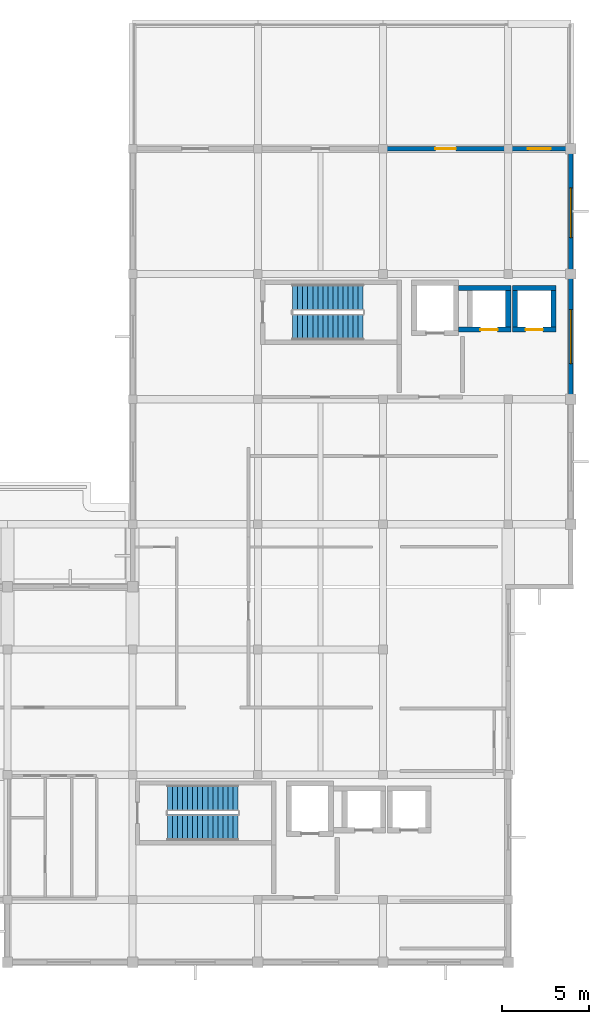
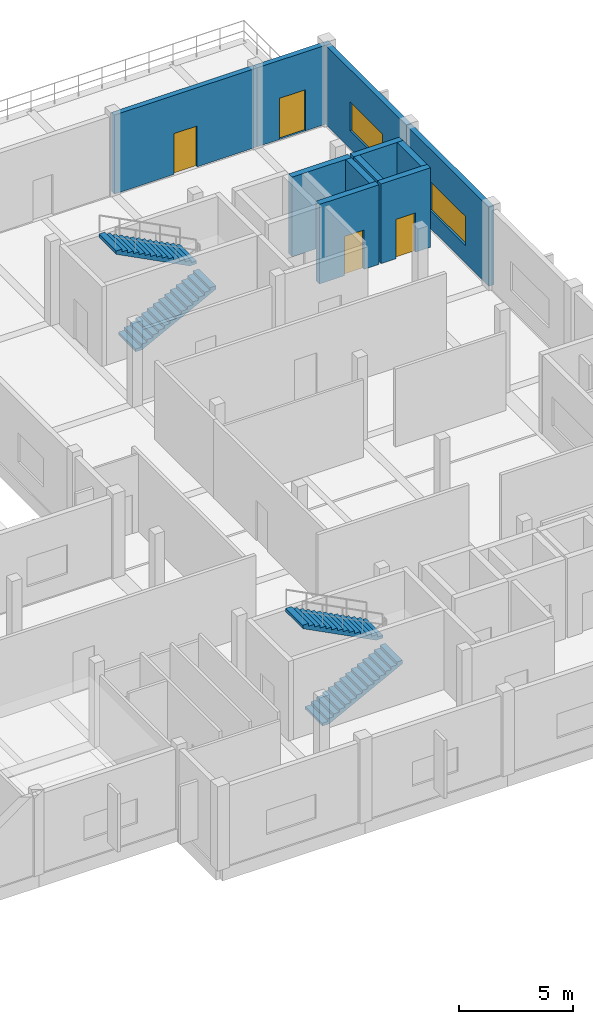
# One storey, part 6 of 9: 11 walls, 4 doors, 4 stair flights, 2 windows, 6 openings, 2 elements without a shape of their own.
"""IFC4 building model written with IfcOpenShell, lengths in metres."""

from ifc_helpers import new_model, si_unit, direction, frame, frame_2d, origin, place, context, subcontext, project, spatial, polyline, rectangle, outline, extrude, material, layer, layer_set, type_object, element, fill, aggregate, save


model = new_model("IFC4")

# Units and contexts
model_context = context("Model", 3, precision=1e-05, world=origin(), true_north=direction((0.0, 1.0)))
body_context = subcontext(model_context, "Body", "Model", "MODEL_VIEW")
ifc_project = project(units=[si_unit("LENGTHUNIT", "METRE"), si_unit("AREAUNIT", "SQUARE_METRE"), si_unit("VOLUMEUNIT", "CUBIC_METRE"), si_unit("PLANEANGLEUNIT", "RADIAN"), si_unit("MASSUNIT", "GRAM", prefix="KILO")], contexts=[model_context])

# Site, building, storey
site_placement = place(None, origin())
site = spatial("IfcSite", under=ifc_project, at=site_placement, CompositionType="ELEMENT")
building_placement = place(site_placement, origin())
building = spatial("IfcBuilding", under=site, at=building_placement, Name="Seraya Terrace Polytechnic", CompositionType="ELEMENT")
storey_placement = place(building_placement, frame((0.0, 0.0, 32.39990234375)))
storey = spatial("IfcBuildingStorey", under=building, at=storey_placement, Name="L07", CompositionType="ELEMENT", Elevation=32.39990234375)

# Wall, opening, door
ifc_material_1 = material(Name="Precast concrete C40/50", Category="concrete")
ifc_layer_1 = layer(ifc_material_1, 0.260009765625, Name="EW-03")
ifc_layer_set_1 = layer_set([ifc_layer_1], Name="Precast concrete C40/50")
wall_type_1 = type_object("IfcWallType", Name="EW-03", PredefinedType="SOLIDWALL", material=ifc_layer_set_1)
wall_1_placement = place(storey_placement, frame((93.60009765625, 50.39990234375, 0.0), z_axis=(0.0, 0.0, 1.0), x_axis=(1.0, 0.0, 0.0)))
wall_1 = element("IfcWall", 1, at=wall_1_placement, inside=storey, type_object=wall_type_1, Name="Exterior structural wall EW-03 L07", PredefinedType="SOLIDWALL", context=body_context, shape_type="SweptSolid", body=[
    extrude(rectangle(XDim=7.199951171875, YDim=0.260009765625, at=frame_2d((3.60009765625, 0.0))), origin(), (0.0, 0.0, 1.0), 4.22021484375),
])
opening_1_placement = place(wall_1_placement, frame((3.010009765625, 0.0, 0.0)))
opening_1 = element("IfcOpeningElement", 2, at=opening_1_placement, cuts=wall_1, Name="Opening TD-02", PredefinedType="OPENING", context=body_context, shape_type="SweptSolid", body=[
    extrude(rectangle(XDim=1.179931640625, YDim=2.179931640625, at=frame_2d((0.58984375, 1.08984375))), frame((0.0, 0.14208984375, 0.0), z_axis=(0.0, -1.0, 0.0), x_axis=(1.0, 0.0, 0.0)), (0.0, 0.0, 1.0), 0.283935546875),
])
ifc_material_2 = material(Name="Anodised aluminium EN AW-6063 T6", Category="aluminium")
door_type_1 = type_object("IfcDoorType", Name="TD-02", OperationType="NOTDEFINED", PredefinedType="DOOR", material=ifc_material_2)
door_1_placement = place(opening_1_placement, origin())
door_1 = element("IfcDoor", 3, at=door_1_placement, inside=storey, type_object=door_type_1, Name="Door TD-02 DR-TERR-L07-06-02 in WL-EXT-L07-06-02", OperationType="SINGLE_SWING_LEFT", OverallHeight=2.179931640625, OverallWidth=1.179931640625, PredefinedType="DOOR", context=body_context, shape_type="SweptSolid", body=[
    extrude(rectangle(XDim=1.179931640625, YDim=2.179931640625, at=frame_2d((0.58984375, 1.08984375))), frame((0.0, 0.02490234375, 0.0), z_axis=(0.0, -1.0, 0.0), x_axis=(1.0, 0.0, 0.0)), (0.0, 0.0, 1.0), 0.050048828125),
])
fill(opening_1, door_1)

wall_2_placement = place(storey_placement, frame((100.800048828125, 50.39990234375, 0.0), z_axis=(0.0, 0.0, 1.0), x_axis=(1.0, 0.0, 0.0)))
wall_2 = element("IfcWall", 4, at=wall_2_placement, inside=storey, type_object=wall_type_1, Name="Exterior structural wall EW-03 L07", PredefinedType="SOLIDWALL", context=body_context, shape_type="SweptSolid", body=[
    extrude(rectangle(XDim=3.75, YDim=0.260009765625, at=frame_2d((1.875, 0.0))), origin(), (0.0, 0.0, 1.0), 4.22021484375),
])
opening_2_placement = place(wall_2_placement, frame((1.139892578125, 0.0, 0.0)))
opening_2 = element("IfcOpeningElement", 5, at=opening_2_placement, cuts=wall_2, Name="Opening TD-03", PredefinedType="OPENING", context=body_context, shape_type="SweptSolid", body=[
    extrude(rectangle(XDim=1.320068359375, YDim=2.199951171875, at=frame_2d((0.66015625, 1.10009765625))), frame((0.0, 0.14208984375, 0.0), z_axis=(0.0, -1.0, 0.0), x_axis=(1.0, 0.0, 0.0)), (0.0, 0.0, 1.0), 0.283935546875),
])
door_type_2 = type_object("IfcDoorType", Name="TD-03", OperationType="NOTDEFINED", PredefinedType="DOOR", material=ifc_material_2)
door_2_placement = place(opening_2_placement, origin())
door_2 = element("IfcDoor", 6, at=door_2_placement, inside=storey, type_object=door_type_2, Name="Door TD-03 DR-TERR-L07-06-03 in WL-EXT-L07-06-03", OperationType="SINGLE_SWING_RIGHT", OverallHeight=2.199951171875, OverallWidth=1.320068359375, PredefinedType="DOOR", context=body_context, shape_type="SweptSolid", body=[
    extrude(rectangle(XDim=1.320068359375, YDim=2.199951171875, at=frame_2d((0.66015625, 1.10009765625))), frame((0.0, 0.02490234375, 0.0), z_axis=(0.0, -1.0, 0.0), x_axis=(1.0, 0.0, 0.0)), (0.0, 0.0, 1.0), 0.050048828125),
])
fill(opening_2, door_2)

# Wall, opening, window
wall_3_placement = place(storey_placement, frame((104.39990234375, 50.248046875, 0.0), z_axis=(0.0, 0.0, 1.0), x_axis=(0.0, -1.0, 0.0)))
wall_3 = element("IfcWall", 7, at=wall_3_placement, inside=storey, type_object=wall_type_1, Name="Exterior structural wall EW-03 L07", PredefinedType="SOLIDWALL", context=body_context, shape_type="SweptSolid", body=[
    extrude(rectangle(XDim=7.048095703125, YDim=0.260009765625, at=frame_2d((3.52392578125, 0.0))), origin(), (0.0, 0.0, 1.0), 4.22021484375),
])
opening_3_placement = place(wall_3_placement, frame((2.09912109375, 0.0, 0.949951171875)))
opening_3 = element("IfcOpeningElement", 8, at=opening_3_placement, cuts=wall_3, Name="Opening WN-23", PredefinedType="OPENING", context=body_context, shape_type="SweptSolid", body=[
    extrude(rectangle(XDim=2.85009765625, YDim=1.550048828125, at=frame_2d((1.425048828125, 0.77490234375))), frame((0.0, 0.14208984375, 0.0), z_axis=(0.0, -1.0, 0.0), x_axis=(1.0, 0.0, 0.0)), (0.0, 0.0, 1.0), 0.283935546875),
])
ifc_material_3 = material(Name="Laminated solar-control Low-E double glazing", Category="glass")
window_type_1 = type_object("IfcWindowType", Name="WN-23", PartitioningType="SINGLE_PANEL", PredefinedType="WINDOW", material=ifc_material_3)
window_1_placement = place(opening_3_placement, origin())
window_1 = element("IfcWindow", 9, at=window_1_placement, inside=storey, type_object=window_type_1, Name="Exterior window WN-23 L07", OverallHeight=1.550048828125, OverallWidth=2.85009765625, PartitioningType="SINGLE_PANEL", PredefinedType="WINDOW", context=body_context, shape_type="SweptSolid", body=[
    extrude(rectangle(XDim=2.85009765625, YDim=1.550048828125, at=frame_2d((1.425048828125, 0.77490234375))), frame((0.0, 0.030029296875, 0.0), z_axis=(0.0, -1.0, 0.0), x_axis=(1.0, 0.0, 0.0)), (0.0, 0.0, 1.0), 0.06005859375),
])
fill(opening_3, window_1)

wall_4_placement = place(storey_placement, frame((104.39990234375, 43.199951171875, 0.0), z_axis=(0.0, 0.0, 1.0), x_axis=(0.0, -1.0, 0.0)))
wall_4 = element("IfcWall", 10, at=wall_4_placement, inside=storey, type_object=wall_type_1, Name="Exterior structural wall EW-03 L07", PredefinedType="SOLIDWALL", context=body_context, shape_type="SweptSolid", body=[
    extrude(rectangle(XDim=7.199951171875, YDim=0.260009765625, at=frame_2d((3.60009765625, 0.0))), origin(), (0.0, 0.0, 1.0), 4.22021484375),
])
opening_4_placement = place(wall_4_placement, frame((2.050048828125, 0.0, 0.949951171875)))
opening_4 = element("IfcOpeningElement", 11, at=opening_4_placement, cuts=wall_4, Name="Opening WN-24", PredefinedType="OPENING", context=body_context, shape_type="SweptSolid", body=[
    extrude(rectangle(XDim=3.10009765625, YDim=1.550048828125, at=frame_2d((1.550048828125, 0.77490234375))), frame((0.0, 0.14208984375, 0.0), z_axis=(0.0, -1.0, 0.0), x_axis=(1.0, 0.0, 0.0)), (0.0, 0.0, 1.0), 0.283935546875),
])
window_type_2 = type_object("IfcWindowType", Name="WN-24", PartitioningType="SINGLE_PANEL", PredefinedType="WINDOW", material=ifc_material_3)
window_2_placement = place(opening_4_placement, origin())
window_2 = element("IfcWindow", 12, at=window_2_placement, inside=storey, type_object=window_type_2, Name="Exterior window WN-24 L07", OverallHeight=1.550048828125, OverallWidth=3.10009765625, PartitioningType="SINGLE_PANEL", PredefinedType="WINDOW", context=body_context, shape_type="SweptSolid", body=[
    extrude(rectangle(XDim=3.10009765625, YDim=1.550048828125, at=frame_2d((1.550048828125, 0.77490234375))), frame((0.0, 0.030029296875, 0.0), z_axis=(0.0, -1.0, 0.0), x_axis=(1.0, 0.0, 0.0)), (0.0, 0.0, 1.0), 0.06005859375),
])
fill(opening_4, window_2)

# Wall, opening, door
ifc_material_4 = material(Name="Concrete C40/50", Category="concrete")
ifc_layer_2 = layer(ifc_material_4, 0.300048828125, Name="SW-01")
ifc_layer_set_2 = layer_set([ifc_layer_2], Name="Concrete C40/50")
wall_type_2 = type_object("IfcWallType", Name="SW-01", PredefinedType="SHEAR", material=ifc_layer_set_2)
wall_5_placement = place(storey_placement, frame((97.949951171875, 40.0, 0.0), z_axis=(0.0, 0.0, 1.0), x_axis=(1.0, 0.0, 0.0)))
wall_5 = element("IfcWall", 13, at=wall_5_placement, inside=storey, type_object=wall_type_2, Name="Lift shaft PL-03 South wall L07", PredefinedType="SHEAR", context=body_context, shape_type="SweptSolid", body=[
    extrude(rectangle(XDim=3.0, YDim=0.300048828125, at=frame_2d((1.5, 0.0))), origin(), (0.0, 0.0, 1.0), 4.25),
])
opening_5_placement = place(wall_5_placement, frame((1.25, 0.0, 0.0)))
opening_5 = element("IfcOpeningElement", 14, at=opening_5_placement, cuts=wall_5, Name="Opening LD-01", PredefinedType="OPENING", context=body_context, shape_type="SweptSolid", body=[
    extrude(rectangle(XDim=1.0, YDim=2.10009765625, at=frame_2d((0.5, 1.050048828125))), frame((0.0, 0.162109375, 0.0), z_axis=(0.0, -1.0, 0.0), x_axis=(1.0, 0.0, 0.0)), (0.0, 0.0, 1.0), 0.323974609375),
])
ifc_material_5 = material(Name="Steel S355J2", Category="steel")
door_type_3 = type_object("IfcDoorType", Name="LD-01", OperationType="SLIDING_TO_LEFT", PredefinedType="DOOR", material=ifc_material_5)
door_3_placement = place(opening_5_placement, frame((1.0, 0.0, 0.0), z_axis=(0.0, 0.0, 1.0), x_axis=(-1.0, 0.0, 0.0)))
door_3 = element("IfcDoor", 15, at=door_3_placement, inside=storey, type_object=door_type_3, Name="Door LD-01 LD-PL-03-L07 in WL-SHF-PL-03-L07-S", OperationType="SLIDING_TO_LEFT", OverallHeight=2.10009765625, OverallWidth=1.0, PredefinedType="DOOR", context=body_context, shape_type="SweptSolid", body=[
    extrude(rectangle(XDim=1.0, YDim=2.10009765625, at=frame_2d((0.5, 1.050048828125))), frame((0.0, 0.02490234375, 0.0), z_axis=(0.0, -1.0, 0.0), x_axis=(1.0, 0.0, 0.0)), (0.0, 0.0, 1.0), 0.050048828125),
])
fill(opening_5, door_3)

# Walls
wall_6_placement = place(storey_placement, frame((97.949951171875, 42.39990234375, 0.0), z_axis=(0.0, 0.0, 1.0), x_axis=(1.0, 0.0, 0.0)))
element("IfcWall", 16, at=wall_6_placement, inside=storey, type_object=wall_type_2, Name="Lift shaft PL-03 North wall L07", PredefinedType="SHEAR", context=body_context, shape_type="SweptSolid", body=[
    extrude(rectangle(XDim=3.0, YDim=0.300048828125, at=frame_2d((1.5, 0.0))), origin(), (0.0, 0.0, 1.0), 4.25),
])
wall_7_placement = place(storey_placement, frame((100.800048828125, 40.14990234375, 0.0), z_axis=(0.0, 0.0, 1.0), x_axis=(0.0, 1.0, 0.0)))
element("IfcWall", 17, at=wall_7_placement, inside=storey, type_object=wall_type_2, Name="Lift shaft PL-03 East wall L07", PredefinedType="SHEAR", context=body_context, shape_type="SweptSolid", body=[
    extrude(rectangle(XDim=2.10009765625, YDim=0.300048828125, at=frame_2d((1.050048828125, 0.0))), origin(), (0.0, 0.0, 1.0), 4.25),
])

# Wall, opening, door
wall_8_placement = place(storey_placement, frame((101.050048828125, 40.0, 0.0), z_axis=(0.0, 0.0, 1.0), x_axis=(1.0, 0.0, 0.0)))
wall_8 = element("IfcWall", 18, at=wall_8_placement, inside=storey, type_object=wall_type_2, Name="Lift shaft PL-04 South wall L07", PredefinedType="SHEAR", context=body_context, shape_type="SweptSolid", body=[
    extrude(rectangle(XDim=2.5, YDim=0.300048828125, at=frame_2d((1.25, 0.0))), origin(), (0.0, 0.0, 1.0), 4.25),
])
opening_6_placement = place(wall_8_placement, frame((0.75, 0.0, 0.0)))
opening_6 = element("IfcOpeningElement", 19, at=opening_6_placement, cuts=wall_8, Name="Opening LD-01", PredefinedType="OPENING", context=body_context, shape_type="SweptSolid", body=[
    extrude(rectangle(XDim=1.0, YDim=2.10009765625, at=frame_2d((0.5, 1.050048828125))), frame((0.0, 0.162109375, 0.0), z_axis=(0.0, -1.0, 0.0), x_axis=(1.0, 0.0, 0.0)), (0.0, 0.0, 1.0), 0.323974609375),
])
door_4_placement = place(opening_6_placement, frame((1.0, 0.0, 0.0), z_axis=(0.0, 0.0, 1.0), x_axis=(-1.0, 0.0, 0.0)))
door_4 = element("IfcDoor", 20, at=door_4_placement, inside=storey, type_object=door_type_3, Name="Door LD-01 LD-PL-04-L07 in WL-SHF-PL-04-L07-S", OperationType="SLIDING_TO_RIGHT", OverallHeight=2.10009765625, OverallWidth=1.0, PredefinedType="DOOR", context=body_context, shape_type="SweptSolid", body=[
    extrude(rectangle(XDim=1.0, YDim=2.10009765625, at=frame_2d((0.5, 1.050048828125))), frame((0.0, 0.02490234375, 0.0), z_axis=(0.0, -1.0, 0.0), x_axis=(1.0, 0.0, 0.0)), (0.0, 0.0, 1.0), 0.050048828125),
])
fill(opening_6, door_4)

# Walls
wall_9_placement = place(storey_placement, frame((101.050048828125, 42.39990234375, 0.0), z_axis=(0.0, 0.0, 1.0), x_axis=(1.0, 0.0, 0.0)))
element("IfcWall", 21, at=wall_9_placement, inside=storey, type_object=wall_type_2, Name="Lift shaft PL-04 North wall L07", PredefinedType="SHEAR", context=body_context, shape_type="SweptSolid", body=[
    extrude(rectangle(XDim=2.5, YDim=0.300048828125, at=frame_2d((1.25, 0.0))), origin(), (0.0, 0.0, 1.0), 4.25),
])
for number, where, z_axis, x_axis, name in (
    (22, (101.199951171875, 40.14990234375, 0.0), (0.0, 0.0, 1.0), (0.0, 1.0, 0.0), "Lift shaft PL-04 West wall L07"),
    (23, (103.39990234375, 40.14990234375, 0.0), (0.0, 0.0, 1.0), (0.0, 1.0, 0.0), "Lift shaft PL-04 East wall L07"),
):
    element("IfcWall", number, at=place(storey_placement, frame(where, z_axis=z_axis, x_axis=x_axis)), inside=storey, type_object=wall_type_2, Name=name, PredefinedType="SHEAR", context=body_context, shape_type="SweptSolid", body=[
        extrude(rectangle(XDim=2.10009765625, YDim=0.300048828125, at=frame_2d((1.050048828125, 0.0))), origin(), (0.0, 0.0, 1.0), 4.25),
    ])

# Stair, stair flights
stair_type = type_object("IfcStairType", Name="ST-T2", PredefinedType="HALF_TURN_STAIR", material=ifc_material_4)
stair_1_placement = place(storey_placement, origin())
stair_1 = element("IfcStair", 24, at=stair_1_placement, inside=storey, type_object=stair_type, Name="L07 Protected exit stair ST-01", PredefinedType="HALF_TURN_STAIR")
stair_flight_type = type_object("IfcStairFlightType", Name="SF-02", PredefinedType="STRAIGHT", material=ifc_material_4)
stair_flight_1_placement = place(storey_placement, frame((81.199951171875, 11.35009765625, 0.0), z_axis=(0.0, 0.0, 1.0), x_axis=(1.0, 0.0, 0.0)))
stair_flight_1 = element("IfcStairFlight", 25, at=stair_flight_1_placement, type_object=stair_flight_type, Name="ST-01 flight 1", NumberOfRisers=15, NumberOfTreads=14, PredefinedType="STRAIGHT", RiserHeight=0.15, TreadLength=0.29, context=body_context, shape_type="SweptSolid", body=[
    extrude(outline(polyline([(0.0, 0.0), (0.0, 0.14990234375), (0.2900390625, 0.14990234375), (0.2900390625, 0.300048828125), (0.580078125, 0.300048828125), (0.580078125, 0.449951171875), (0.8701171875, 0.449951171875), (0.8701171875, 0.60009765625), (1.159912109375, 0.60009765625), (1.159912109375, 0.75), (1.449951171875, 0.75), (1.449951171875, 0.89990234375), (1.739990234375, 0.89990234375), (1.739990234375, 1.050048828125), (2.030029296875, 1.050048828125), (2.030029296875, 1.199951171875), (2.320068359375, 1.199951171875), (2.320068359375, 1.35009765625), (2.610107421875, 1.35009765625), (2.610107421875, 1.5), (2.89990234375, 1.5), (2.89990234375, 1.64990234375), (3.18994140625, 1.64990234375), (3.18994140625, 1.800048828125), (3.47998046875, 1.800048828125), (3.47998046875, 1.949951171875), (3.77001953125, 1.949951171875), (3.77001953125, 2.10009765625), (4.06005859375, 2.10009765625), (4.06005859375, 2.25), (4.06005859375, 1.919921875), (0.34814453125, 0.0), (0.0, 0.0)])), frame((0.0, 0.75, 0.0), z_axis=(0.0, -1.0, 0.0), x_axis=(1.0, 0.0, 0.0)), (0.0, 0.0, 1.0), 1.5),
])
stair_flight_2_placement = place(storey_placement, frame((85.260009765625, 13.050048828125, 2.25), z_axis=(0.0, 0.0, 1.0), x_axis=(-1.0, 0.0, 0.0)))
stair_flight_2 = element("IfcStairFlight", 26, at=stair_flight_2_placement, type_object=stair_flight_type, Name="ST-01 flight 2", NumberOfRisers=15, NumberOfTreads=14, PredefinedType="STRAIGHT", RiserHeight=0.15, TreadLength=0.29, context=body_context, shape_type="SweptSolid", body=[
    extrude(outline(polyline([(0.0, 0.0), (0.0, 0.14990234375), (0.2900390625, 0.14990234375), (0.2900390625, 0.300048828125), (0.580078125, 0.300048828125), (0.580078125, 0.449951171875), (0.8701171875, 0.449951171875), (0.8701171875, 0.60009765625), (1.159912109375, 0.60009765625), (1.159912109375, 0.75), (1.449951171875, 0.75), (1.449951171875, 0.89990234375), (1.739990234375, 0.89990234375), (1.739990234375, 1.050048828125), (2.030029296875, 1.050048828125), (2.030029296875, 1.199951171875), (2.320068359375, 1.199951171875), (2.320068359375, 1.35009765625), (2.610107421875, 1.35009765625), (2.610107421875, 1.5), (2.89990234375, 1.5), (2.89990234375, 1.64990234375), (3.18994140625, 1.64990234375), (3.18994140625, 1.800048828125), (3.47998046875, 1.800048828125), (3.47998046875, 1.949951171875), (3.77001953125, 1.949951171875), (3.77001953125, 2.10009765625), (4.06005859375, 2.10009765625), (4.06005859375, 2.25), (4.06005859375, 1.919921875), (0.34814453125, 0.0), (0.0, 0.0)])), frame((0.0, 0.75, 0.0), z_axis=(0.0, -1.0, 0.0), x_axis=(1.0, 0.0, 0.0)), (0.0, 0.0, 1.0), 1.5),
])
aggregate(stair_1, [stair_flight_1, stair_flight_2])

stair_2_placement = place(storey_placement, origin())
stair_2 = element("IfcStair", 27, at=stair_2_placement, inside=storey, type_object=stair_type, Name="L07 Protected exit stair ST-02", PredefinedType="HALF_TURN_STAIR")
stair_flight_3_placement = place(storey_placement, frame((88.39990234375, 40.14990234375, 0.0), z_axis=(0.0, 0.0, 1.0), x_axis=(1.0, 0.0, 0.0)))
stair_flight_3 = element("IfcStairFlight", 28, at=stair_flight_3_placement, type_object=stair_flight_type, Name="ST-02 flight 1", NumberOfRisers=15, NumberOfTreads=14, PredefinedType="STRAIGHT", RiserHeight=0.15, TreadLength=0.29, context=body_context, shape_type="SweptSolid", body=[
    extrude(outline(polyline([(0.0, 0.0), (0.0, 0.14990234375), (0.2900390625, 0.14990234375), (0.2900390625, 0.300048828125), (0.580078125, 0.300048828125), (0.580078125, 0.449951171875), (0.8701171875, 0.449951171875), (0.8701171875, 0.60009765625), (1.159912109375, 0.60009765625), (1.159912109375, 0.75), (1.449951171875, 0.75), (1.449951171875, 0.89990234375), (1.739990234375, 0.89990234375), (1.739990234375, 1.050048828125), (2.030029296875, 1.050048828125), (2.030029296875, 1.199951171875), (2.320068359375, 1.199951171875), (2.320068359375, 1.35009765625), (2.610107421875, 1.35009765625), (2.610107421875, 1.5), (2.89990234375, 1.5), (2.89990234375, 1.64990234375), (3.18994140625, 1.64990234375), (3.18994140625, 1.800048828125), (3.47998046875, 1.800048828125), (3.47998046875, 1.949951171875), (3.77001953125, 1.949951171875), (3.77001953125, 2.10009765625), (4.06005859375, 2.10009765625), (4.06005859375, 2.25), (4.06005859375, 1.919921875), (0.34814453125, 0.0), (0.0, 0.0)])), frame((0.0, 0.75, 0.0), z_axis=(0.0, -1.0, 0.0), x_axis=(1.0, 0.0, 0.0)), (0.0, 0.0, 1.0), 1.5),
])
stair_flight_4_placement = place(storey_placement, frame((92.4599609375, 41.85009765625, 2.25), z_axis=(0.0, 0.0, 1.0), x_axis=(-1.0, 0.0, 0.0)))
stair_flight_4 = element("IfcStairFlight", 29, at=stair_flight_4_placement, type_object=stair_flight_type, Name="ST-02 flight 2", NumberOfRisers=15, NumberOfTreads=14, PredefinedType="STRAIGHT", RiserHeight=0.15, TreadLength=0.29, context=body_context, shape_type="SweptSolid", body=[
    extrude(outline(polyline([(0.0, 0.0), (0.0, 0.14990234375), (0.2900390625, 0.14990234375), (0.2900390625, 0.300048828125), (0.580078125, 0.300048828125), (0.580078125, 0.449951171875), (0.8701171875, 0.449951171875), (0.8701171875, 0.60009765625), (1.159912109375, 0.60009765625), (1.159912109375, 0.75), (1.449951171875, 0.75), (1.449951171875, 0.89990234375), (1.739990234375, 0.89990234375), (1.739990234375, 1.050048828125), (2.030029296875, 1.050048828125), (2.030029296875, 1.199951171875), (2.320068359375, 1.199951171875), (2.320068359375, 1.35009765625), (2.610107421875, 1.35009765625), (2.610107421875, 1.5), (2.89990234375, 1.5), (2.89990234375, 1.64990234375), (3.18994140625, 1.64990234375), (3.18994140625, 1.800048828125), (3.47998046875, 1.800048828125), (3.47998046875, 1.949951171875), (3.77001953125, 1.949951171875), (3.77001953125, 2.10009765625), (4.06005859375, 2.10009765625), (4.06005859375, 2.25), (4.06005859375, 1.919921875), (0.34814453125, 0.0), (0.0, 0.0)])), frame((0.0, 0.75, 0.0), z_axis=(0.0, -1.0, 0.0), x_axis=(1.0, 0.0, 0.0)), (0.0, 0.0, 1.0), 1.5),
])
aggregate(stair_2, [stair_flight_3, stair_flight_4])

save(model, "model.ifc")
